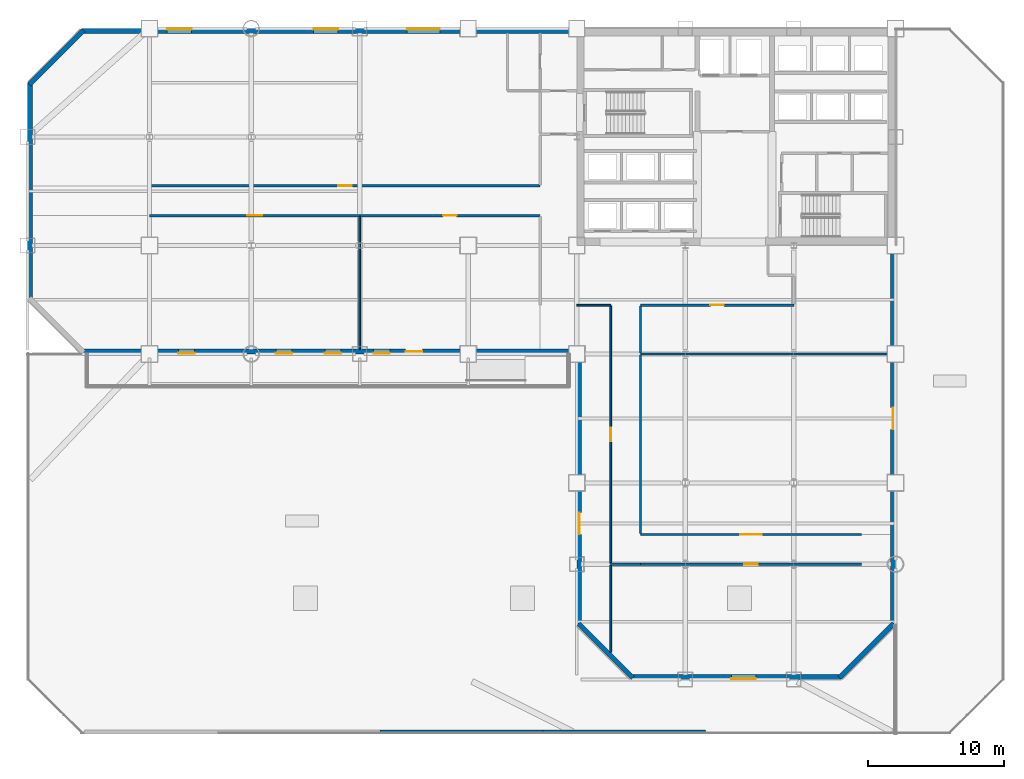
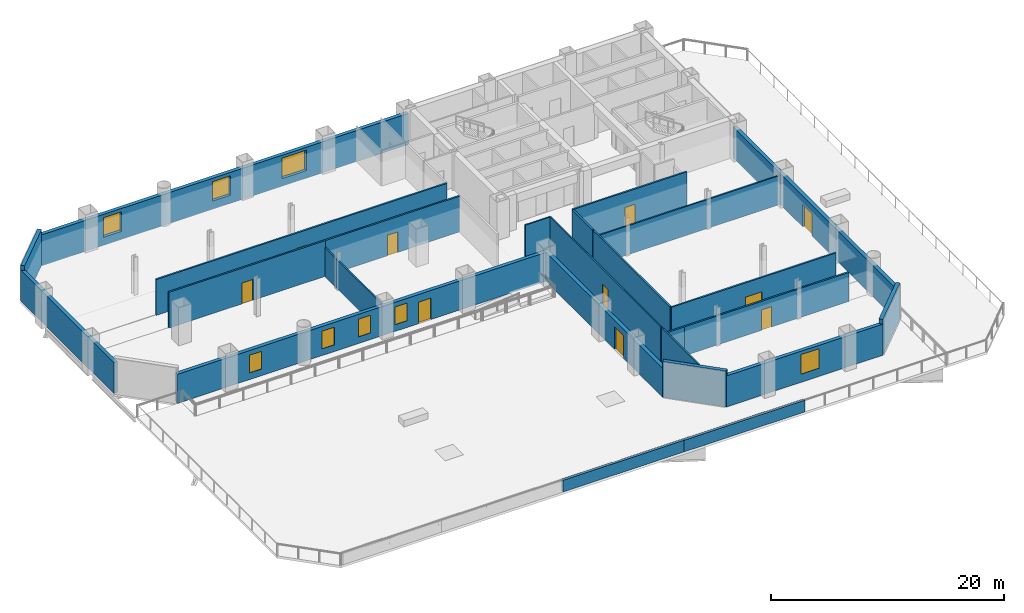
# One storey, part 5 of 11: 25 walls, 10 doors, 8 windows, 18 openings.
"""IFC4 building model written with IfcOpenShell, lengths in metres."""

from ifc_helpers import new_model, si_unit, direction, frame, frame_2d, origin, place, context, subcontext, project, spatial, rectangle, extrude, material, layer, layer_set, type_object, element, fill, save


model = new_model("IFC4")

# Units and contexts
model_context = context("Model", 3, precision=1e-05, world=origin(), true_north=direction((0.0, 1.0)))
body_context = subcontext(model_context, "Body", "Model", "MODEL_VIEW")
ifc_project = project(units=[si_unit("LENGTHUNIT", "METRE"), si_unit("AREAUNIT", "SQUARE_METRE"), si_unit("VOLUMEUNIT", "CUBIC_METRE"), si_unit("PLANEANGLEUNIT", "RADIAN"), si_unit("MASSUNIT", "GRAM", prefix="KILO")], contexts=[model_context])

# Site, building, storey
site_placement = place(None, origin())
site = spatial("IfcSite", under=ifc_project, at=site_placement, CompositionType="ELEMENT")
building_placement = place(site_placement, origin())
building = spatial("IfcBuilding", under=site, at=building_placement, Name="Qianrong Seaharbour Tower", CompositionType="ELEMENT")
storey_placement = place(building_placement, frame((0.0, 0.0, 28.199951171875)))
storey = spatial("IfcBuildingStorey", under=building, at=storey_placement, Name="L06", CompositionType="ELEMENT", Elevation=28.199951171875)

# Wall, opening, door
ifc_material_1 = material(Name="Fire-rated acoustic gypsum board partition")
ifc_layer_1 = layer(ifc_material_1, 0.1650390625)
ifc_layer_set_1 = layer_set([ifc_layer_1], Name="Fire-rated acoustic gypsum board partition")
wall_type_1 = type_object("IfcWallType", Name="WALL-CORR-PART-165", PredefinedType="PARTITIONING", material=ifc_layer_set_1)
wall_1_placement = place(storey_placement, frame((9.0, 40.39990234375, 0.0), z_axis=(0.0, 0.0, 1.0), x_axis=(1.0, 0.0, 0.0)))
wall_1 = element("IfcWall", 1, at=wall_1_placement, inside=storey, type_object=wall_type_1, Name="L06 Interior Partition Wall 017", PredefinedType="PARTITIONING", context=body_context, shape_type="SweptSolid", body=[
    extrude(rectangle(XDim=28.800048828125, YDim=0.1650390625, at=frame_2d((14.39990234375, 0.0))), origin(), (0.0, 0.0, 1.0), 3.75),
])
opening_1_placement = place(wall_1_placement, frame((13.89990234375, 0.0, 0.0)))
opening_1 = element("IfcOpeningElement", 2, at=opening_1_placement, cuts=wall_1, Name="Opening DO-01", PredefinedType="OPENING", context=body_context, shape_type="SweptSolid", body=[
    extrude(rectangle(XDim=1.0, YDim=2.14990234375, at=frame_2d((0.5, 1.074951171875))), frame((0.0, 0.092529296875, 0.0), z_axis=(0.0, -1.0, 0.0), x_axis=(1.0, 0.0, 0.0)), (0.0, 0.0, 1.0), 0.18505859375),
])
ifc_material_2 = material(Name="Acoustic timber and galvanized steel fire door assembly", Category="steel")
door_type_1 = type_object("IfcDoorType", Name="DOOR-OFFICE-1000x2150", OperationType="NOTDEFINED", PredefinedType="DOOR", material=ifc_material_2)
door_1_placement = place(opening_1_placement, origin())
door_1 = element("IfcDoor", 3, at=door_1_placement, inside=storey, type_object=door_type_1, Name="L06 Transfer Hub Open-Plan Office Door", OperationType="SINGLE_SWING_RIGHT", OverallHeight=2.14990234375, OverallWidth=1.0, PredefinedType="DOOR", context=body_context, shape_type="SweptSolid", body=[
    extrude(rectangle(XDim=1.0, YDim=2.14990234375, at=frame_2d((0.5, 1.074951171875))), frame((0.0, 0.02490234375, 0.0), z_axis=(0.0, -1.0, 0.0), x_axis=(1.0, 0.0, 0.0)), (0.0, 0.0, 1.0), 0.050048828125),
])
fill(opening_1, door_1)

wall_2_placement = place(storey_placement, frame((24.5, 38.199951171875, 0.0), z_axis=(0.0, 0.0, 1.0), x_axis=(-1.0, 0.0, 0.0)))
wall_2 = element("IfcWall", 4, at=wall_2_placement, inside=storey, type_object=wall_type_1, Name="L06 Interior Partition Wall 018", PredefinedType="PARTITIONING", context=body_context, shape_type="SweptSolid", body=[
    extrude(rectangle(XDim=15.5, YDim=0.1650390625, at=frame_2d((7.75, 0.0))), origin(), (0.0, 0.0, 1.0), 3.75),
])
opening_2_placement = place(wall_2_placement, frame((7.199951171875, 0.0, 0.0)))
opening_2 = element("IfcOpeningElement", 5, at=opening_2_placement, cuts=wall_2, Name="Opening DM-01", PredefinedType="OPENING", context=body_context, shape_type="SweptSolid", body=[
    extrude(rectangle(XDim=1.10009765625, YDim=2.199951171875, at=frame_2d((0.550048828125, 1.10009765625))), frame((0.0, 0.092529296875, 0.0), z_axis=(0.0, -1.0, 0.0), x_axis=(1.0, 0.0, 0.0)), (0.0, 0.0, 1.0), 0.18505859375),
])
door_type_2 = type_object("IfcDoorType", Name="DOOR-MEET-1100x2200", OperationType="NOTDEFINED", PredefinedType="DOOR", material=ifc_material_2)
door_2_placement = place(opening_2_placement, origin())
door_2 = element("IfcDoor", 6, at=door_2_placement, inside=storey, type_object=door_type_2, Name="L06 Harbour Panorama Boardroom 1 Door", OperationType="SINGLE_SWING_LEFT", OverallHeight=2.199951171875, OverallWidth=1.10009765625, PredefinedType="DOOR", context=body_context, shape_type="SweptSolid", body=[
    extrude(rectangle(XDim=1.10009765625, YDim=2.199951171875, at=frame_2d((0.550048828125, 1.10009765625))), frame((0.0, 0.02490234375, 0.0), z_axis=(0.0, -1.0, 0.0), x_axis=(1.0, 0.0, 0.0)), (0.0, 0.0, 1.0), 0.050048828125),
])
fill(opening_2, door_2)

wall_3_placement = place(storey_placement, frame((37.800048828125, 38.199951171875, 0.0), z_axis=(0.0, 0.0, 1.0), x_axis=(-1.0, 0.0, 0.0)))
wall_3 = element("IfcWall", 7, at=wall_3_placement, inside=storey, type_object=wall_type_1, Name="L06 Interior Partition Wall 019", PredefinedType="PARTITIONING", context=body_context, shape_type="SweptSolid", body=[
    extrude(rectangle(XDim=13.300048828125, YDim=0.1650390625, at=frame_2d((6.64990234375, 0.0))), origin(), (0.0, 0.0, 1.0), 3.75),
])
opening_3_placement = place(wall_3_placement, frame((6.14990234375, 0.0, 0.0)))
opening_3 = element("IfcOpeningElement", 8, at=opening_3_placement, cuts=wall_3, Name="Opening DO-01", PredefinedType="OPENING", context=body_context, shape_type="SweptSolid", body=[
    extrude(rectangle(XDim=1.0, YDim=2.14990234375, at=frame_2d((0.5, 1.074951171875))), frame((0.0, 0.092529296875, 0.0), z_axis=(0.0, -1.0, 0.0), x_axis=(1.0, 0.0, 0.0)), (0.0, 0.0, 1.0), 0.18505859375),
])
door_3_placement = place(opening_3_placement, origin())
door_3 = element("IfcDoor", 9, at=door_3_placement, inside=storey, type_object=door_type_1, Name="L06 Project Library 2 Door", OperationType="SINGLE_SWING_RIGHT", OverallHeight=2.14990234375, OverallWidth=1.0, PredefinedType="DOOR", context=body_context, shape_type="SweptSolid", body=[
    extrude(rectangle(XDim=1.0, YDim=2.14990234375, at=frame_2d((0.5, 1.074951171875))), frame((0.0, 0.02490234375, 0.0), z_axis=(0.0, -1.0, 0.0), x_axis=(1.0, 0.0, 0.0)), (0.0, 0.0, 1.0), 0.050048828125),
])
fill(opening_3, door_3)

wall_4_placement = place(storey_placement, frame((56.5, 31.60009765625, 0.0), z_axis=(0.0, 0.0, 1.0), x_axis=(-1.0, 0.0, 0.0)))
wall_4 = element("IfcWall", 10, at=wall_4_placement, inside=storey, type_object=wall_type_1, Name="L06 Interior Partition Wall 025", PredefinedType="PARTITIONING", context=body_context, shape_type="SweptSolid", body=[
    extrude(rectangle(XDim=11.300048828125, YDim=0.1650390625, at=frame_2d((5.64990234375, 0.0))), origin(), (0.0, 0.0, 1.0), 3.75),
])
opening_4_placement = place(wall_4_placement, frame((5.14990234375, 0.0, 0.0)))
opening_4 = element("IfcOpeningElement", 11, at=opening_4_placement, cuts=wall_4, Name="Opening DO-01", PredefinedType="OPENING", context=body_context, shape_type="SweptSolid", body=[
    extrude(rectangle(XDim=1.0, YDim=2.14990234375, at=frame_2d((0.5, 1.074951171875))), frame((0.0, 0.092529296875, 0.0), z_axis=(0.0, -1.0, 0.0), x_axis=(1.0, 0.0, 0.0)), (0.0, 0.0, 1.0), 0.18505859375),
])
door_4_placement = place(opening_4_placement, origin())
door_4 = element("IfcDoor", 12, at=door_4_placement, inside=storey, type_object=door_type_1, Name="L06 Executive Briefing Salon 2 Door", OperationType="SINGLE_SWING_LEFT", OverallHeight=2.14990234375, OverallWidth=1.0, PredefinedType="DOOR", context=body_context, shape_type="SweptSolid", body=[
    extrude(rectangle(XDim=1.0, YDim=2.14990234375, at=frame_2d((0.5, 1.074951171875))), frame((0.0, 0.02490234375, 0.0), z_axis=(0.0, -1.0, 0.0), x_axis=(1.0, 0.0, 0.0)), (0.0, 0.0, 1.0), 0.050048828125),
])
fill(opening_4, door_4)

# Walls
wall_5_placement = place(storey_placement, frame((45.199951171875, 27.935546875, 0.0), z_axis=(0.0, 0.0, 1.0), x_axis=(0.0, -1.0, 0.0)))
element("IfcWall", 13, at=wall_5_placement, inside=storey, type_object=wall_type_1, Name="L06 Interior Partition Wall 027", PredefinedType="PARTITIONING", context=body_context, shape_type="SweptSolid", body=[
    extrude(rectangle(XDim=13.1611328125, YDim=0.1650390625, at=frame_2d((6.58056640625, 0.0))), origin(), (0.0, 0.0, 1.0), 3.75),
])
wall_6_placement = place(storey_placement, frame((45.199951171875, 31.525390625, 0.0), z_axis=(0.0, 0.0, 1.0), x_axis=(0.0, -1.0, 0.0)))
element("IfcWall", 14, at=wall_6_placement, inside=storey, type_object=wall_type_1, Name="L06 Interior Partition Wall 028", PredefinedType="PARTITIONING", context=body_context, shape_type="SweptSolid", body=[
    extrude(rectangle(XDim=3.4609375, YDim=0.1650390625, at=frame_2d((1.73046875, 0.0))), origin(), (0.0, 0.0, 1.0), 3.75),
])
wall_7_placement = place(storey_placement, frame((45.199951171875, 12.5, 0.0), z_axis=(0.0, 0.0, 1.0), x_axis=(-1.0, 0.0, 0.0)))
element("IfcWall", 15, at=wall_7_placement, inside=storey, type_object=wall_type_1, Name="L06 Interior Partition Wall 030", PredefinedType="PARTITIONING", context=body_context, shape_type="SweptSolid", body=[
    extrude(rectangle(XDim=2.199951171875, YDim=0.1650390625, at=frame_2d((1.10009765625, 0.0))), origin(), (0.0, 0.0, 1.0), 3.0419921875),
])

# Wall, opening, door
wall_8_placement = place(storey_placement, frame((45.199951171875, 14.699951171875, 0.0), z_axis=(0.0, 0.0, 1.0), x_axis=(1.0, 0.0, 0.0)))
wall_8 = element("IfcWall", 16, at=wall_8_placement, inside=storey, type_object=wall_type_1, Name="L06 Interior Partition Wall 031", PredefinedType="PARTITIONING", context=body_context, shape_type="SweptSolid", body=[
    extrude(rectangle(XDim=16.300048828125, YDim=0.1650390625, at=frame_2d((8.14990234375, 0.0))), origin(), (0.0, 0.0, 1.0), 3.75),
])
opening_5_placement = place(wall_8_placement, frame((7.35009765625, 0.0, 0.0)))
opening_5 = element("IfcOpeningElement", 17, at=opening_5_placement, cuts=wall_8, Name="Opening DL-01", PredefinedType="OPENING", context=body_context, shape_type="SweptSolid", body=[
    extrude(rectangle(XDim=1.60009765625, YDim=2.25, at=frame_2d((0.800048828125, 1.125))), frame((0.0, 0.092529296875, 0.0), z_axis=(0.0, -1.0, 0.0), x_axis=(1.0, 0.0, 0.0)), (0.0, 0.0, 1.0), 0.18505859375),
])
door_type_3 = type_object("IfcDoorType", Name="DOOR-LOBBY-PAIR-1600x2250", OperationType="DOUBLE_DOOR_SINGLE_SWING", PredefinedType="DOOR", material=ifc_material_2)
door_5_placement = place(opening_5_placement, origin())
door_5 = element("IfcDoor", 18, at=door_5_placement, inside=storey, type_object=door_type_3, Name="L06 Harbour View Dining Bistro 1 Door", OperationType="DOUBLE_DOOR_SINGLE_SWING", OverallHeight=2.25, OverallWidth=1.60009765625, PredefinedType="DOOR", context=body_context, shape_type="SweptSolid", body=[
    extrude(rectangle(XDim=1.60009765625, YDim=2.25, at=frame_2d((0.800048828125, 1.125))), frame((0.0, 0.02490234375, 0.0), z_axis=(0.0, -1.0, 0.0), x_axis=(1.0, 0.0, 0.0)), (0.0, 0.0, 1.0), 0.050048828125),
])
fill(opening_5, door_5)

wall_9_placement = place(storey_placement, frame((61.5, 12.5, 0.0), z_axis=(0.0, 0.0, 1.0), x_axis=(-1.0, 0.0, 0.0)))
wall_9 = element("IfcWall", 19, at=wall_9_placement, inside=storey, type_object=wall_type_1, Name="L06 Interior Partition Wall 032", PredefinedType="PARTITIONING", context=body_context, shape_type="SweptSolid", body=[
    extrude(rectangle(XDim=16.300048828125, YDim=0.1650390625, at=frame_2d((8.14990234375, 0.0))), origin(), (0.0, 0.0, 1.0), 3.0419921875),
])
opening_6_placement = place(wall_9_placement, frame((7.64990234375, 0.0, 0.0)))
opening_6 = element("IfcOpeningElement", 20, at=opening_6_placement, cuts=wall_9, Name="Opening DO-01", PredefinedType="OPENING", context=body_context, shape_type="SweptSolid", body=[
    extrude(rectangle(XDim=1.0, YDim=2.14990234375, at=frame_2d((0.5, 1.074951171875))), frame((0.0, 0.092529296875, 0.0), z_axis=(0.0, -1.0, 0.0), x_axis=(1.0, 0.0, 0.0)), (0.0, 0.0, 1.0), 0.18505859375),
])
door_6_placement = place(opening_6_placement, origin())
door_6 = element("IfcDoor", 21, at=door_6_placement, inside=storey, type_object=door_type_1, Name="L06 Skyline Observation Lounge Door", OperationType="SINGLE_SWING_LEFT", OverallHeight=2.14990234375, OverallWidth=1.0, PredefinedType="DOOR", context=body_context, shape_type="SweptSolid", body=[
    extrude(rectangle(XDim=1.0, YDim=2.14990234375, at=frame_2d((0.5, 1.074951171875))), frame((0.0, 0.02490234375, 0.0), z_axis=(0.0, -1.0, 0.0), x_axis=(1.0, 0.0, 0.0)), (0.0, 0.0, 1.0), 0.050048828125),
])
fill(opening_6, door_6)

ifc_material_3 = material(Name="Unitised red brick on Precast concrete C45/55", Category="masonry")
ifc_layer_2 = layer(ifc_material_3, 0.360107421875)
ifc_layer_set_2 = layer_set([ifc_layer_2], Name="Unitised red brick on Precast concrete C45/55")
wall_type_2 = type_object("IfcWallType", Name="WALL-EXT-BRICK-RED-360", PredefinedType="SOLIDWALL", material=ifc_layer_set_2)
wall_10_placement = place(storey_placement, frame((40.679931640625, 8.0, 0.0), z_axis=(0.0, 0.0, 1.0), x_axis=(0.0, 1.0, 0.0)))
wall_10 = element("IfcWall", 22, at=wall_10_placement, inside=storey, type_object=wall_type_2, Name="L06 Exterior Masonry Facade Wall REENTRANT_WEST", PredefinedType="SOLIDWALL", context=body_context, shape_type="SweptSolid", body=[
    extrude(rectangle(XDim=20.360107421875, YDim=0.360107421875, at=frame_2d((10.18017578125, 0.0))), origin(), (0.0, 0.0, 1.0), 3.050048828125),
])
opening_7_placement = place(wall_10_placement, frame((6.699951171875, 0.0, 0.0)))
opening_7 = element("IfcOpeningElement", 23, at=opening_7_placement, cuts=wall_10, Name="Opening D-TER2", PredefinedType="OPENING", context=body_context, shape_type="SweptSolid", body=[
    extrude(rectangle(XDim=1.60009765625, YDim=2.35009765625, at=frame_2d((0.800048828125, 1.175048828125))), frame((0.0, 0.18994140625, 0.0), z_axis=(0.0, -1.0, 0.0), x_axis=(1.0, 0.0, 0.0)), (0.0, 0.0, 1.0), 0.380126953125),
])
ifc_material_4 = material(Name="Insulated galvanized steel and laminated glass door assembly", Category="steel")
door_type_4 = type_object("IfcDoorType", Name="DOOR-EXT-GARDEN-1600x2350", OperationType="DOUBLE_DOOR_SINGLE_SWING", PredefinedType="DOOR", material=ifc_material_4)
door_7_placement = place(opening_7_placement, origin())
door_7 = element("IfcDoor", 24, at=door_7_placement, inside=storey, type_object=door_type_4, Name="L06 Sky Garden Terrace Access Door 1", OperationType="DOUBLE_DOOR_SINGLE_SWING", OverallHeight=2.35009765625, OverallWidth=1.60009765625, PredefinedType="DOOR", context=body_context, shape_type="SweptSolid", body=[
    extrude(rectangle(XDim=1.60009765625, YDim=2.35009765625, at=frame_2d((0.800048828125, 1.175048828125))), frame((0.0, 0.02490234375, 0.0), z_axis=(0.0, -1.0, 0.0), x_axis=(1.0, 0.0, 0.0)), (0.0, 0.0, 1.0), 0.050048828125),
])
fill(opening_7, door_7)

# Wall, openings, door, windows
wall_11_placement = place(storey_placement, frame((40.52001953125, 28.179931640625, 0.0), z_axis=(0.0, 0.0, 1.0), x_axis=(-1.0, 0.0, 0.0)))
wall_11 = element("IfcWall", 25, at=wall_11_placement, inside=storey, type_object=wall_type_2, Name="L06 Exterior Masonry Facade Wall HARBOUR_RIBBON", PredefinedType="SOLIDWALL", context=body_context, shape_type="SweptSolid", body=[
    extrude(rectangle(XDim=36.52001953125, YDim=0.360107421875, at=frame_2d((18.260009765625, 0.0))), origin(), (0.0, 0.0, 1.0), 3.050048828125),
])
opening_8_placement = place(wall_11_placement, frame((13.800048828125, 0.0, 0.699951171875)))
opening_8 = element("IfcOpeningElement", 26, at=opening_8_placement, cuts=wall_11, Name="Opening WN-01", PredefinedType="OPENING", context=body_context, shape_type="SweptSolid", body=[
    extrude(rectangle(XDim=1.199951171875, YDim=1.85009765625, at=frame_2d((0.60009765625, 0.925048828125))), frame((0.0, 0.18994140625, 0.0), z_axis=(0.0, -1.0, 0.0), x_axis=(1.0, 0.0, 0.0)), (0.0, 0.0, 1.0), 0.380126953125),
])
opening_9_placement = place(wall_11_placement, frame((17.39990234375, 0.0, 0.699951171875)))
opening_9 = element("IfcOpeningElement", 27, at=opening_9_placement, cuts=wall_11, Name="Opening WN-01", PredefinedType="OPENING", context=body_context, shape_type="SweptSolid", body=[
    extrude(rectangle(XDim=1.199951171875, YDim=1.85009765625, at=frame_2d((0.60009765625, 0.925048828125))), frame((0.0, 0.18994140625, 0.0), z_axis=(0.0, -1.0, 0.0), x_axis=(1.0, 0.0, 0.0)), (0.0, 0.0, 1.0), 0.380126953125),
])
opening_10_placement = place(wall_11_placement, frame((21.0, 0.0, 0.699951171875)))
opening_10 = element("IfcOpeningElement", 28, at=opening_10_placement, cuts=wall_11, Name="Opening WN-01", PredefinedType="OPENING", context=body_context, shape_type="SweptSolid", body=[
    extrude(rectangle(XDim=1.199951171875, YDim=1.85009765625, at=frame_2d((0.60009765625, 0.925048828125))), frame((0.0, 0.18994140625, 0.0), z_axis=(0.0, -1.0, 0.0), x_axis=(1.0, 0.0, 0.0)), (0.0, 0.0, 1.0), 0.380126953125),
])
opening_11_placement = place(wall_11_placement, frame((28.199951171875, 0.0, 0.699951171875)))
opening_11 = element("IfcOpeningElement", 29, at=opening_11_placement, cuts=wall_11, Name="Opening WN-01", PredefinedType="OPENING", context=body_context, shape_type="SweptSolid", body=[
    extrude(rectangle(XDim=1.199951171875, YDim=1.85009765625, at=frame_2d((0.60009765625, 0.925048828125))), frame((0.0, 0.18994140625, 0.0), z_axis=(0.0, -1.0, 0.0), x_axis=(1.0, 0.0, 0.0)), (0.0, 0.0, 1.0), 0.380126953125),
])
opening_12_placement = place(wall_11_placement, frame((11.39501953125, 0.0, 0.0)))
opening_12 = element("IfcOpeningElement", 30, at=opening_12_placement, cuts=wall_11, Name="Opening D-TER1", PredefinedType="OPENING", context=body_context, shape_type="SweptSolid", body=[
    extrude(rectangle(XDim=1.25, YDim=2.25, at=frame_2d((0.625, 1.125))), frame((0.0, 0.18994140625, 0.0), z_axis=(0.0, -1.0, 0.0), x_axis=(1.0, 0.0, 0.0)), (0.0, 0.0, 1.0), 0.380126953125),
])
door_type_5 = type_object("IfcDoorType", Name="DOOR-EXT-TERRACE-1250x2250", OperationType="NOTDEFINED", PredefinedType="DOOR", material=ifc_material_4)
door_8_placement = place(opening_12_placement, origin())
door_8 = element("IfcDoor", 31, at=door_8_placement, inside=storey, type_object=door_type_5, Name="L06 Harbourfront Ribbon Gallery Access Door", OperationType="SINGLE_SWING_LEFT", OverallHeight=2.25, OverallWidth=1.25, PredefinedType="DOOR", context=body_context, shape_type="SweptSolid", body=[
    extrude(rectangle(XDim=1.25, YDim=2.25, at=frame_2d((0.625, 1.125))), frame((0.0, 0.02490234375, 0.0), z_axis=(0.0, -1.0, 0.0), x_axis=(1.0, 0.0, 0.0)), (0.0, 0.0, 1.0), 0.050048828125),
])
fill(opening_12, door_8)
ifc_material_5 = material(Name="Insulated low-e double glazing in thermally broken aluminium 6063-T6 frame", Category="aluminium")
window_type_1 = type_object("IfcWindowType", Name="WIN-PUNCH-1200x1850", PartitioningType="DOUBLE_PANEL_VERTICAL", PredefinedType="WINDOW", material=ifc_material_5)
window_1_placement = place(opening_8_placement, origin())
window_1 = element("IfcWindow", 32, at=window_1_placement, inside=storey, type_object=window_type_1, Name="L06 Deep-Set Punched Window 01.04", OverallHeight=1.85009765625, OverallWidth=1.199951171875, PartitioningType="DOUBLE_PANEL_VERTICAL", PredefinedType="WINDOW", context=body_context, shape_type="SweptSolid", body=[
    extrude(rectangle(XDim=1.199951171875, YDim=1.85009765625, at=frame_2d((0.60009765625, 0.925048828125))), frame((0.0, 0.150146484375, 0.0), z_axis=(0.0, -1.0, 0.0), x_axis=(1.0, 0.0, 0.0)), (0.0, 0.0, 1.0), 0.06005859375),
])
fill(opening_8, window_1)
window_2_placement = place(opening_9_placement, origin())
window_2 = element("IfcWindow", 33, at=window_2_placement, inside=storey, type_object=window_type_1, Name="L06 Deep-Set Punched Window 01.05", OverallHeight=1.85009765625, OverallWidth=1.199951171875, PartitioningType="DOUBLE_PANEL_VERTICAL", PredefinedType="WINDOW", context=body_context, shape_type="SweptSolid", body=[
    extrude(rectangle(XDim=1.199951171875, YDim=1.85009765625, at=frame_2d((0.60009765625, 0.925048828125))), frame((0.0, 0.150146484375, 0.0), z_axis=(0.0, -1.0, 0.0), x_axis=(1.0, 0.0, 0.0)), (0.0, 0.0, 1.0), 0.06005859375),
])
fill(opening_9, window_2)
window_3_placement = place(opening_10_placement, origin())
window_3 = element("IfcWindow", 34, at=window_3_placement, inside=storey, type_object=window_type_1, Name="L06 Deep-Set Punched Window 01.06", OverallHeight=1.85009765625, OverallWidth=1.199951171875, PartitioningType="DOUBLE_PANEL_VERTICAL", PredefinedType="WINDOW", context=body_context, shape_type="SweptSolid", body=[
    extrude(rectangle(XDim=1.199951171875, YDim=1.85009765625, at=frame_2d((0.60009765625, 0.925048828125))), frame((0.0, 0.150146484375, 0.0), z_axis=(0.0, -1.0, 0.0), x_axis=(1.0, 0.0, 0.0)), (0.0, 0.0, 1.0), 0.06005859375),
])
fill(opening_10, window_3)
window_4_placement = place(opening_11_placement, origin())
window_4 = element("IfcWindow", 35, at=window_4_placement, inside=storey, type_object=window_type_1, Name="L06 Deep-Set Punched Window 01.08", OverallHeight=1.85009765625, OverallWidth=1.199951171875, PartitioningType="DOUBLE_PANEL_VERTICAL", PredefinedType="WINDOW", context=body_context, shape_type="SweptSolid", body=[
    extrude(rectangle(XDim=1.199951171875, YDim=1.85009765625, at=frame_2d((0.60009765625, 0.925048828125))), frame((0.0, 0.150146484375, 0.0), z_axis=(0.0, -1.0, 0.0), x_axis=(1.0, 0.0, 0.0)), (0.0, 0.0, 1.0), 0.06005859375),
])
fill(opening_11, window_4)

# Walls
wall_12_placement = place(storey_placement, frame((0.179931640625, 32.0, 0.0), z_axis=(0.0, 0.0, 1.0), x_axis=(0.0, 1.0, 0.0)))
element("IfcWall", 36, at=wall_12_placement, inside=storey, type_object=wall_type_2, Name="L06 Exterior Masonry Facade Wall WEST_TIP", PredefinedType="SOLIDWALL", context=body_context, shape_type="SweptSolid", body=[
    extrude(rectangle(XDim=16.0, YDim=0.360107421875, at=frame_2d((8.0, 0.0))), origin(), (0.0, 0.0, 1.0), 3.25),
])
wall_13_placement = place(storey_placement, frame((0.127197265625, 47.872802734375, 0.0), z_axis=(0.0, 0.0, 1.0), x_axis=(0.707106781187, 0.707106781187, 0.0)))
element("IfcWall", 37, at=wall_13_placement, inside=storey, type_object=wall_type_2, Name="L06 Exterior Masonry Facade Wall E04", PredefinedType="SOLIDWALL", context=body_context, shape_type="SweptSolid", body=[
    extrude(rectangle(XDim=5.65673828125, YDim=0.360107421875, at=frame_2d((2.828369140625, 0.0))), origin(), (0.0, 0.0, 1.0), 3.75),
])

# Wall, openings, windows
wall_14_placement = place(storey_placement, frame((4.0, 51.820068359375, 0.0), z_axis=(0.0, 0.0, 1.0), x_axis=(1.0, 0.0, 0.0)))
wall_14 = element("IfcWall", 38, at=wall_14_placement, inside=storey, type_object=wall_type_2, Name="L06 Exterior Masonry Facade Wall NORTH_WING", PredefinedType="SOLIDWALL", context=body_context, shape_type="SweptSolid", body=[
    extrude(rectangle(XDim=36.52001953125, YDim=0.360107421875, at=frame_2d((18.260009765625, 0.0))), origin(), (0.0, 0.0, 1.0), 3.25),
])
opening_13_placement = place(wall_14_placement, frame((6.300048828125, 0.0, 0.85009765625)))
opening_13 = element("IfcOpeningElement", 39, at=opening_13_placement, cuts=wall_14, Name="Opening WN-05", PredefinedType="OPENING", context=body_context, shape_type="SweptSolid", body=[
    extrude(rectangle(XDim=1.800048828125, YDim=2.050048828125, at=frame_2d((0.89990234375, 1.02490234375))), frame((0.0, 0.18994140625, 0.0), z_axis=(0.0, -1.0, 0.0), x_axis=(1.0, 0.0, 0.0)), (0.0, 0.0, 1.0), 0.380126953125),
])
opening_14_placement = place(wall_14_placement, frame((17.10009765625, 0.0, 0.85009765625)))
opening_14 = element("IfcOpeningElement", 40, at=opening_14_placement, cuts=wall_14, Name="Opening WN-05", PredefinedType="OPENING", context=body_context, shape_type="SweptSolid", body=[
    extrude(rectangle(XDim=1.800048828125, YDim=2.050048828125, at=frame_2d((0.89990234375, 1.02490234375))), frame((0.0, 0.18994140625, 0.0), z_axis=(0.0, -1.0, 0.0), x_axis=(1.0, 0.0, 0.0)), (0.0, 0.0, 1.0), 0.380126953125),
])
opening_15_placement = place(wall_14_placement, frame((24.0, 0.0, 0.800048828125)))
opening_15 = element("IfcOpeningElement", 41, at=opening_15_placement, cuts=wall_14, Name="Opening WN-07", PredefinedType="OPENING", context=body_context, shape_type="SweptSolid", body=[
    extrude(rectangle(XDim=2.39990234375, YDim=2.14990234375, at=frame_2d((1.199951171875, 1.074951171875))), frame((0.0, 0.18994140625, 0.0), z_axis=(0.0, -1.0, 0.0), x_axis=(1.0, 0.0, 0.0)), (0.0, 0.0, 1.0), 0.380126953125),
])
window_type_2 = type_object("IfcWindowType", Name="WIN-PUNCH-1800x2050", PartitioningType="TRIPLE_PANEL_VERTICAL", PredefinedType="WINDOW", material=ifc_material_5)
window_5_placement = place(opening_13_placement, origin())
window_5 = element("IfcWindow", 42, at=window_5_placement, inside=storey, type_object=window_type_2, Name="L06 Deep-Set Punched Window 05.02", OverallHeight=2.050048828125, OverallWidth=1.800048828125, PartitioningType="TRIPLE_PANEL_VERTICAL", PredefinedType="WINDOW", context=body_context, shape_type="SweptSolid", body=[
    extrude(rectangle(XDim=1.800048828125, YDim=2.050048828125, at=frame_2d((0.89990234375, 1.02490234375))), frame((0.0, 0.150146484375, 0.0), z_axis=(0.0, -1.0, 0.0), x_axis=(1.0, 0.0, 0.0)), (0.0, 0.0, 1.0), 0.06005859375),
])
fill(opening_13, window_5)
window_6_placement = place(opening_14_placement, origin())
window_6 = element("IfcWindow", 43, at=window_6_placement, inside=storey, type_object=window_type_2, Name="L06 Deep-Set Punched Window 05.05", OverallHeight=2.050048828125, OverallWidth=1.800048828125, PartitioningType="TRIPLE_PANEL_VERTICAL", PredefinedType="WINDOW", context=body_context, shape_type="SweptSolid", body=[
    extrude(rectangle(XDim=1.800048828125, YDim=2.050048828125, at=frame_2d((0.89990234375, 1.02490234375))), frame((0.0, 0.150146484375, 0.0), z_axis=(0.0, -1.0, 0.0), x_axis=(1.0, 0.0, 0.0)), (0.0, 0.0, 1.0), 0.06005859375),
])
fill(opening_14, window_6)
window_type_3 = type_object("IfcWindowType", Name="WIN-PUNCH-2400x2150", PartitioningType="TRIPLE_PANEL_VERTICAL", PredefinedType="WINDOW", material=ifc_material_5)
window_7_placement = place(opening_15_placement, origin())
window_7 = element("IfcWindow", 44, at=window_7_placement, inside=storey, type_object=window_type_3, Name="L06 Deep-Set Punched Window 05.07", OverallHeight=2.14990234375, OverallWidth=2.39990234375, PartitioningType="TRIPLE_PANEL_VERTICAL", PredefinedType="WINDOW", context=body_context, shape_type="SweptSolid", body=[
    extrude(rectangle(XDim=2.39990234375, YDim=2.14990234375, at=frame_2d((1.199951171875, 1.074951171875))), frame((0.0, 0.150146484375, 0.0), z_axis=(0.0, -1.0, 0.0), x_axis=(1.0, 0.0, 0.0)), (0.0, 0.0, 1.0), 0.06005859375),
])
fill(opening_15, window_7)

# Wall, opening, door
wall_15_placement = place(storey_placement, frame((63.820068359375, 36.050048828125, 0.0), z_axis=(0.0, 0.0, 1.0), x_axis=(0.0, -1.0, 0.0)))
wall_15 = element("IfcWall", 45, at=wall_15_placement, inside=storey, type_object=wall_type_2, Name="L06 Exterior Masonry Facade Wall EAST_WING", PredefinedType="SOLIDWALL", context=body_context, shape_type="SweptSolid", body=[
    extrude(rectangle(XDim=28.050048828125, YDim=0.360107421875, at=frame_2d((14.02490234375, 0.0))), origin(), (0.0, 0.0, 1.0), 3.25),
])
opening_16_placement = place(wall_15_placement, frame((12.0, 0.0, 0.0)))
opening_16 = element("IfcOpeningElement", 46, at=opening_16_placement, cuts=wall_15, Name="Opening D-TER2", PredefinedType="OPENING", context=body_context, shape_type="SweptSolid", body=[
    extrude(rectangle(XDim=1.60009765625, YDim=2.35009765625, at=frame_2d((0.800048828125, 1.175048828125))), frame((0.0, 0.18994140625, 0.0), z_axis=(0.0, -1.0, 0.0), x_axis=(1.0, 0.0, 0.0)), (0.0, 0.0, 1.0), 0.380126953125),
])
door_9_placement = place(opening_16_placement, origin())
door_9 = element("IfcDoor", 47, at=door_9_placement, inside=storey, type_object=door_type_4, Name="L06 Sky Garden Terrace Access Door 2", OperationType="DOUBLE_DOOR_SINGLE_SWING", OverallHeight=2.35009765625, OverallWidth=1.60009765625, PredefinedType="DOOR", context=body_context, shape_type="SweptSolid", body=[
    extrude(rectangle(XDim=1.60009765625, YDim=2.35009765625, at=frame_2d((0.800048828125, 1.175048828125))), frame((0.0, 0.02490234375, 0.0), z_axis=(0.0, -1.0, 0.0), x_axis=(1.0, 0.0, 0.0)), (0.0, 0.0, 1.0), 0.050048828125),
])
fill(opening_16, door_9)

# Wall
wall_16_placement = place(storey_placement, frame((63.872802734375, 8.127197265625, 0.0), z_axis=(0.0, 0.0, 1.0), x_axis=(-0.707106781187, -0.707106781187, 0.0)))
element("IfcWall", 48, at=wall_16_placement, inside=storey, type_object=wall_type_2, Name="L06 Exterior Masonry Facade Wall E07", PredefinedType="SOLIDWALL", context=body_context, shape_type="SweptSolid", body=[
    extrude(rectangle(XDim=5.65673828125, YDim=0.360107421875, at=frame_2d((2.828369140625, 0.0))), origin(), (0.0, 0.0, 1.0), 3.75),
])

# Wall, opening, window
wall_17_placement = place(storey_placement, frame((60.0, 4.179931640625, 0.0), z_axis=(0.0, 0.0, 1.0), x_axis=(-1.0, 0.0, 0.0)))
wall_17 = element("IfcWall", 49, at=wall_17_placement, inside=storey, type_object=wall_type_2, Name="L06 Exterior Masonry Facade Wall SOUTH_TIP", PredefinedType="SOLIDWALL", context=body_context, shape_type="SweptSolid", body=[
    extrude(rectangle(XDim=15.5, YDim=0.360107421875, at=frame_2d((7.75, 0.0))), origin(), (0.0, 0.0, 1.0), 3.25),
])
opening_17_placement = place(wall_17_placement, frame((6.300048828125, 0.0, 0.85009765625)))
opening_17 = element("IfcOpeningElement", 50, at=opening_17_placement, cuts=wall_17, Name="Opening WN-05", PredefinedType="OPENING", context=body_context, shape_type="SweptSolid", body=[
    extrude(rectangle(XDim=1.800048828125, YDim=2.050048828125, at=frame_2d((0.89990234375, 1.02490234375))), frame((0.0, 0.18994140625, 0.0), z_axis=(0.0, -1.0, 0.0), x_axis=(1.0, 0.0, 0.0)), (0.0, 0.0, 1.0), 0.380126953125),
])
window_8_placement = place(opening_17_placement, origin())
window_8 = element("IfcWindow", 51, at=window_8_placement, inside=storey, type_object=window_type_2, Name="L06 Deep-Set Punched Window 08.02", OverallHeight=2.050048828125, OverallWidth=1.800048828125, PartitioningType="TRIPLE_PANEL_VERTICAL", PredefinedType="WINDOW", context=body_context, shape_type="SweptSolid", body=[
    extrude(rectangle(XDim=1.800048828125, YDim=2.050048828125, at=frame_2d((0.89990234375, 1.02490234375))), frame((0.0, 0.150146484375, 0.0), z_axis=(0.0, -1.0, 0.0), x_axis=(1.0, 0.0, 0.0)), (0.0, 0.0, 1.0), 0.06005859375),
])
fill(opening_17, window_8)

# Walls
wall_18_placement = place(storey_placement, frame((44.627197265625, 4.127197265625, 0.0), z_axis=(0.0, 0.0, 1.0), x_axis=(-0.707106781187, 0.707106781187, 0.0)))
element("IfcWall", 52, at=wall_18_placement, inside=storey, type_object=wall_type_2, Name="L06 Exterior Masonry Facade Wall E09", PredefinedType="SOLIDWALL", context=body_context, shape_type="SweptSolid", body=[
    extrude(rectangle(XDim=5.65673828125, YDim=0.360107421875, at=frame_2d((2.828369140625, 0.0))), origin(), (0.0, 0.0, 1.0), 3.75),
])
ifc_material_6 = material(Name="Acoustic gypsum board stud partition")
ifc_layer_3 = layer(ifc_material_6, 0.14501953125)
ifc_layer_set_3 = layer_set([ifc_layer_3], Name="Acoustic gypsum board stud partition")
wall_type_3 = type_object("IfcWallType", Name="WALL-OFFICE-PART-145", PredefinedType="PARTITIONING", material=ifc_layer_set_3)
wall_19_placement = place(storey_placement, frame((24.5, 38.12548828125, 0.0), z_axis=(0.0, 0.0, 1.0), x_axis=(0.0, -1.0, 0.0)))
element("IfcWall", 53, at=wall_19_placement, inside=storey, type_object=wall_type_3, Name="L06 Interior Partition Wall 033", PredefinedType="PARTITIONING", context=body_context, shape_type="SweptSolid", body=[
    extrude(rectangle(XDim=9.7734375, YDim=0.14501953125, at=frame_2d((4.88671875, 0.0))), origin(), (0.0, 0.0, 1.0), 3.0419921875),
])
wall_20_placement = place(storey_placement, frame((45.199951171875, 28.0, 0.0), z_axis=(0.0, 0.0, 1.0), x_axis=(1.0, 0.0, 0.0)))
element("IfcWall", 54, at=wall_20_placement, inside=storey, type_object=wall_type_3, Name="L06 Interior Partition Wall 034", PredefinedType="PARTITIONING", context=body_context, shape_type="SweptSolid", body=[
    extrude(rectangle(XDim=18.447998046875, YDim=0.14501953125, at=frame_2d((9.22412109375, 0.0))), origin(), (0.0, 0.0, 1.0), 3.0419921875),
])
ifc_material_7 = material(Name="White architectural precast concrete C45/55", Category="concrete")
ifc_layer_4 = layer(ifc_material_7, 0.260009765625)
ifc_layer_set_4 = layer_set([ifc_layer_4], Name="White architectural precast concrete C45/55")
wall_type_4 = type_object("IfcWallType", Name="WALL-PARAPET-WHITE-260", PredefinedType="PARAPET", material=ifc_layer_set_4)
for number, where, z_axis, x_axis, name in (
    (55, (26.0, 0.1298828125, 0.0), (0.0, 0.0, 1.0), (1.0, 0.0, 0.0), "Podium Roof Garden Masonry Parapet L06-S3"),
    (56, (38.0, 0.1298828125, 0.0), (0.0, 0.0, 1.0), (1.0, 0.0, 0.0), "Podium Roof Garden Masonry Parapet L06-S4"),
):
    element("IfcWall", number, at=place(storey_placement, frame(where, z_axis=z_axis, x_axis=x_axis)), inside=storey, type_object=wall_type_4, Name=name, PredefinedType="PARAPET", context=body_context, shape_type="SweptSolid", body=[
        extrude(rectangle(XDim=12.0, YDim=0.260009765625, at=frame_2d((6.0, 0.0))), origin(), (0.0, 0.0, 1.0), 1.219970703125),
    ])
ifc_material_8 = material(Name="Water-resistant cement board sanitary partition")
ifc_layer_5 = layer(ifc_material_8, 0.1298828125)
ifc_layer_set_5 = layer_set([ifc_layer_5], Name="Water-resistant cement board sanitary partition")
wall_type_5 = type_object("IfcWallType", Name="WALL-WET-PART-130", PredefinedType="PARTITIONING", material=ifc_layer_set_5)
wall_21_placement = place(storey_placement, frame((43.0, 31.60009765625, 0.0), z_axis=(0.0, 0.0, 1.0), x_axis=(-1.0, 0.0, 0.0)))
element("IfcWall", 57, at=wall_21_placement, inside=storey, type_object=wall_type_5, Name="L06 Interior Partition Wall 026", PredefinedType="PARTITIONING", context=body_context, shape_type="SweptSolid", body=[
    extrude(rectangle(XDim=2.5, YDim=0.1298828125, at=frame_2d((1.25, 0.0))), origin(), (0.0, 0.0, 1.0), 3.75),
])

# Wall, opening, door
wall_22_placement = place(storey_placement, frame((43.0, 12.574462890625, 0.0), z_axis=(0.0, 0.0, 1.0), x_axis=(0.0, 1.0, 0.0)))
wall_22 = element("IfcWall", 58, at=wall_22_placement, inside=storey, type_object=wall_type_5, Name="L06 Interior Partition Wall 029", PredefinedType="PARTITIONING", context=body_context, shape_type="SweptSolid", body=[
    extrude(rectangle(XDim=18.968505859375, YDim=0.1298828125, at=frame_2d((9.484375, 0.0))), origin(), (0.0, 0.0, 1.0), 3.75),
])
opening_18_placement = place(wall_22_placement, frame((8.984130859375, 0.0, 0.0)))
opening_18 = element("IfcOpeningElement", 59, at=opening_18_placement, cuts=wall_22, Name="Opening DO-01", PredefinedType="OPENING", context=body_context, shape_type="SweptSolid", body=[
    extrude(rectangle(XDim=1.0, YDim=2.14990234375, at=frame_2d((0.5, 1.074951171875))), frame((0.0, 0.074951171875, 0.0), z_axis=(0.0, -1.0, 0.0), x_axis=(1.0, 0.0, 0.0)), (0.0, 0.0, 1.0), 0.14990234375),
])
door_10_placement = place(opening_18_placement, origin())
door_10 = element("IfcDoor", 60, at=door_10_placement, inside=storey, type_object=door_type_1, Name="L06 Wet Pantry Door", OperationType="SINGLE_SWING_RIGHT", OverallHeight=2.14990234375, OverallWidth=1.0, PredefinedType="DOOR", context=body_context, shape_type="SweptSolid", body=[
    extrude(rectangle(XDim=1.0, YDim=2.14990234375, at=frame_2d((0.5, 1.074951171875))), frame((0.0, 0.02490234375, 0.0), z_axis=(0.0, -1.0, 0.0), x_axis=(1.0, 0.0, 0.0)), (0.0, 0.0, 1.0), 0.050048828125),
])
fill(opening_18, door_10)

# Wall
wall_23_placement = place(storey_placement, frame((43.0, 12.425537109375, 0.0), z_axis=(0.0, 0.0, 1.0), x_axis=(0.0, -1.0, 0.0)))
element("IfcWall", 61, at=wall_23_placement, inside=storey, type_object=wall_type_5, Name="L06 Interior Partition Wall 035", PredefinedType="PARTITIONING", context=body_context, shape_type="SweptSolid", body=[
    extrude(rectangle(XDim=6.427734375, YDim=0.1298828125, at=frame_2d((3.2138671875, 0.0))), origin(), (0.0, 0.0, 1.0), 3.75),
])

save(model, "model.ifc")
